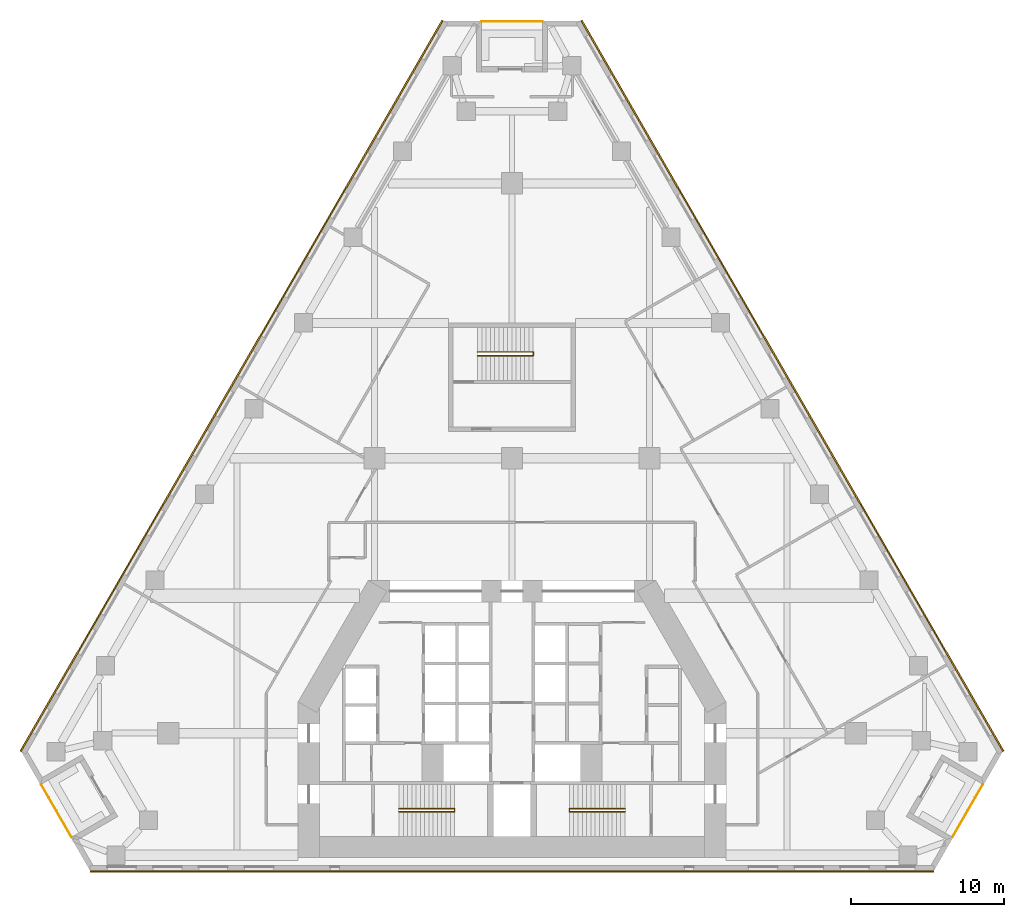
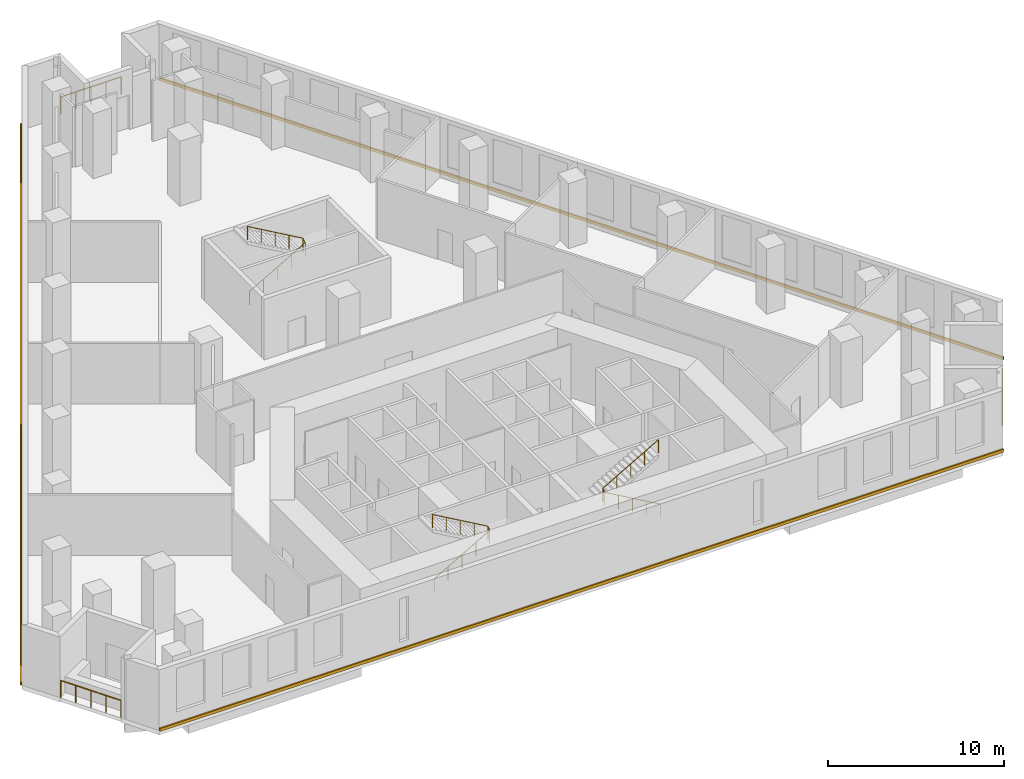
# One storey, part 10 of 10: 6 railings, 3 coverings.
"""IFC4 building model written with IfcOpenShell, lengths in metres."""

from ifc_helpers import new_model, si_unit, direction, frame, origin, origin_2d, place, context, subcontext, project, spatial, polyline, circle, outline, extrude, material, type_object, element, save


model = new_model("IFC4")

# Units and contexts
model_context = context("Model", 3, precision=1e-05, world=origin(), true_north=direction((0.0, 1.0)))
body_context = subcontext(model_context, "Body", "Model", "MODEL_VIEW")
ifc_project = project(units=[si_unit("LENGTHUNIT", "METRE"), si_unit("AREAUNIT", "SQUARE_METRE"), si_unit("VOLUMEUNIT", "CUBIC_METRE"), si_unit("PLANEANGLEUNIT", "RADIAN"), si_unit("MASSUNIT", "GRAM", prefix="KILO")], contexts=[model_context])

# Site, building, storey
site_placement = place(None, origin())
site = spatial("IfcSite", under=ifc_project, at=site_placement, CompositionType="ELEMENT")
building_placement = place(site_placement, origin())
building = spatial("IfcBuilding", under=site, at=building_placement, Name="Fogline Exchange Tower", CompositionType="ELEMENT")
storey_placement = place(building_placement, frame((0.0, 0.0, 43.0)))
storey = spatial("IfcBuildingStorey", under=building, at=storey_placement, Name="L08", CompositionType="ELEMENT", Elevation=43.0)

# Railings
ifc_material_1 = material(Name="Stainless steel 304", Category="steel")
railing_type_1 = type_object("IfcRailingType", Name="G1", PredefinedType="GUARDRAIL", material=ifc_material_1)
railing_1_placement = place(storey_placement, frame((-30.82373046875, 5.635986328125, 0.0)))
element("IfcRailing", 1, at=railing_1_placement, inside=storey, type_object=railing_type_1, Name="Balcony guard L08 SW", PredefinedType="GUARDRAIL", context=body_context, shape_type="SweptSolid", body=[
    extrude(circle(Radius=0.02392578125, at=origin_2d()), frame((0.0, 0.0, 1.17578125), z_axis=(0.500000102728, -0.866025344474, 0.0), x_axis=(0.866025344474, 0.500000102728, 0.0)), (0.0, 0.0, 1.0), 3.9580078125),
    extrude(circle(Radius=0.02099609375, at=origin_2d()), origin(), (0.0, 0.0, 1.0), 1.15185546875),
    extrude(circle(Radius=0.02099609375, at=origin_2d()), frame((0.49462890625, -0.85693359375, 0.0)), (0.0, 0.0, 1.0), 1.15185546875),
    extrude(circle(Radius=0.02099609375, at=origin_2d()), frame((0.989501953125, -1.7138671875, 0.0)), (0.0, 0.0, 1.0), 1.15185546875),
    extrude(circle(Radius=0.02099609375, at=origin_2d()), frame((1.484375, -2.57080078125, 0.0)), (0.0, 0.0, 1.0), 1.15185546875),
    extrude(circle(Radius=0.02099609375, at=origin_2d()), frame((1.97900390625, -3.427734375, 0.0)), (0.0, 0.0, 1.0), 1.15185546875),
])
railing_2_placement = place(storey_placement, frame((28.8447265625, 2.208251953125, 0.0)))
element("IfcRailing", 2, at=railing_2_placement, inside=storey, type_object=railing_type_1, Name="Balcony guard L08 SE", PredefinedType="GUARDRAIL", context=body_context, shape_type="SweptSolid", body=[
    extrude(circle(Radius=0.02392578125, at=origin_2d()), frame((0.0, 0.0, 1.17578125), z_axis=(0.500000102728, 0.866025344474, 0.0), x_axis=(-0.866025344474, 0.500000102728, 0.0)), (0.0, 0.0, 1.0), 3.9580078125),
    extrude(circle(Radius=0.02099609375, at=origin_2d()), origin(), (0.0, 0.0, 1.0), 1.15185546875),
    extrude(circle(Radius=0.02099609375, at=origin_2d()), frame((0.49462890625, 0.85693359375, 0.0)), (0.0, 0.0, 1.0), 1.15185546875),
    extrude(circle(Radius=0.02099609375, at=origin_2d()), frame((0.989501953125, 1.7138671875, 0.0)), (0.0, 0.0, 1.0), 1.15185546875),
    extrude(circle(Radius=0.02099609375, at=origin_2d()), frame((1.484375, 2.57080078125, 0.0)), (0.0, 0.0, 1.0), 1.15185546875),
    extrude(circle(Radius=0.02099609375, at=origin_2d()), frame((1.97900390625, 3.427734375, 0.0)), (0.0, 0.0, 1.0), 1.15185546875),
])
railing_3_placement = place(storey_placement, frame((1.97900390625, 55.5966796875, 0.0)))
element("IfcRailing", 3, at=railing_3_placement, inside=storey, type_object=railing_type_1, Name="Balcony guard L08 N", PredefinedType="GUARDRAIL", context=body_context, shape_type="SweptSolid", body=[
    extrude(circle(Radius=0.02392578125, at=origin_2d()), frame((0.0, 0.0, 1.17578125), z_axis=(-1.0, 0.0, 0.0), x_axis=(0.0, -1.0, 0.0)), (0.0, 0.0, 1.0), 3.9580078125),
    extrude(circle(Radius=0.02099609375, at=origin_2d()), origin(), (0.0, 0.0, 1.0), 1.15185546875),
    extrude(circle(Radius=0.02099609375, at=origin_2d()), frame((-0.989501953125, 0.0, 0.0)), (0.0, 0.0, 1.0), 1.15185546875),
    extrude(circle(Radius=0.02099609375, at=origin_2d()), frame((-1.97900390625, 0.0, 0.0)), (0.0, 0.0, 1.0), 1.15185546875),
    extrude(circle(Radius=0.02099609375, at=origin_2d()), frame((-2.968505859375, 0.0, 0.0)), (0.0, 0.0, 1.0), 1.15185546875),
    extrude(circle(Radius=0.02099609375, at=origin_2d()), frame((-3.9580078125, 0.0, 0.0)), (0.0, 0.0, 1.0), 1.15185546875),
])
ifc_material_2 = material(Name="Steel Q235B", Category="steel")
railing_type_2 = type_object("IfcRailingType", Name="RL-HR", PredefinedType="HANDRAIL", material=ifc_material_2)
railing_4_placement = place(storey_placement, frame((-7.39990234375, 3.85009765625, 0.16064453125)))
element("IfcRailing", 4, at=railing_4_placement, inside=storey, type_object=railing_type_2, Name="Handrail ST1", PredefinedType="HANDRAIL", context=body_context, shape_type="SweptSolid", body=[
    extrude(circle(Radius=0.02392578125, at=origin_2d()), frame((0.0, 0.0, 0.92578125), z_axis=(0.8672749571, 0.0, 0.497829437445), x_axis=(0.0, 1.0, 0.0)), (0.0, 0.0, 1.0), 4.197021484375),
    extrude(circle(Radius=0.02392578125, at=origin_2d()), frame((3.639892578125, 0.0, 3.01513671875), z_axis=(0.0, 0.779567027444, 0.626318808374), x_axis=(-1.0, 0.0, 0.0)), (0.0, 0.0, 1.0), 0.256591796875),
    extrude(circle(Radius=0.02392578125, at=origin_2d()), frame((3.639892578125, 0.199951171875, 3.17578125), z_axis=(-0.8672749571, 0.0, 0.497829437445), x_axis=(0.0, -1.0, 0.0)), (0.0, 0.0, 1.0), 4.197021484375),
    extrude(circle(Radius=0.02099609375, at=origin_2d()), origin(), (0.0, 0.0, 1.0), 0.90185546875),
    extrude(circle(Radius=0.02099609375, at=origin_2d()), frame((0.909912109375, 0.0, 0.5224609375)), (0.0, 0.0, 1.0), 0.90185546875),
    extrude(circle(Radius=0.02099609375, at=origin_2d()), frame((1.81982421875, 0.0, 1.044677734375)), (0.0, 0.0, 1.0), 0.90185546875),
    extrude(circle(Radius=0.02099609375, at=origin_2d()), frame((2.72998046875, 0.0, 1.56689453125)), (0.0, 0.0, 1.0), 0.90185546875),
    extrude(circle(Radius=0.02099609375, at=origin_2d()), frame((3.639892578125, 0.0, 2.08935546875)), (0.0, 0.0, 1.0), 0.90185546875),
    extrude(circle(Radius=0.02099609375, at=origin_2d()), frame((3.639892578125, 0.199951171875, 2.25)), (0.0, 0.0, 1.0), 0.90185546875),
    extrude(circle(Radius=0.02099609375, at=origin_2d()), frame((2.72998046875, 0.199951171875, 2.7724609375)), (0.0, 0.0, 1.0), 0.90185546875),
    extrude(circle(Radius=0.02099609375, at=origin_2d()), frame((1.81982421875, 0.199951171875, 3.294677734375)), (0.0, 0.0, 1.0), 0.90185546875),
    extrude(circle(Radius=0.02099609375, at=origin_2d()), frame((0.909912109375, 0.199951171875, 3.81689453125)), (0.0, 0.0, 1.0), 0.90185546875),
    extrude(circle(Radius=0.02099609375, at=origin_2d()), frame((0.0, 0.199951171875, 4.33935546875)), (0.0, 0.0, 1.0), 0.90185546875),
])
railing_5_placement = place(storey_placement, frame((7.39990234375, 3.85009765625, 0.16064453125)))
element("IfcRailing", 5, at=railing_5_placement, inside=storey, type_object=railing_type_2, Name="Handrail ST2", PredefinedType="HANDRAIL", context=body_context, shape_type="SweptSolid", body=[
    extrude(circle(Radius=0.02392578125, at=origin_2d()), frame((0.0, 0.0, 0.92578125), z_axis=(-0.8672749571, 0.0, 0.497829437445), x_axis=(0.0, -1.0, 0.0)), (0.0, 0.0, 1.0), 4.197021484375),
    extrude(circle(Radius=0.02392578125, at=origin_2d()), frame((-3.639892578125, 0.0, 3.01513671875), z_axis=(0.0, 0.779567027444, 0.626318808374), x_axis=(-1.0, 0.0, 0.0)), (0.0, 0.0, 1.0), 0.256591796875),
    extrude(circle(Radius=0.02392578125, at=origin_2d()), frame((-3.639892578125, 0.199951171875, 3.17578125), z_axis=(0.8672749571, 0.0, 0.497829437445), x_axis=(0.0, 1.0, 0.0)), (0.0, 0.0, 1.0), 4.197021484375),
    extrude(circle(Radius=0.02099609375, at=origin_2d()), origin(), (0.0, 0.0, 1.0), 0.90185546875),
    extrude(circle(Radius=0.02099609375, at=origin_2d()), frame((-0.909912109375, 0.0, 0.5224609375)), (0.0, 0.0, 1.0), 0.90185546875),
    extrude(circle(Radius=0.02099609375, at=origin_2d()), frame((-1.81982421875, 0.0, 1.044677734375)), (0.0, 0.0, 1.0), 0.90185546875),
    extrude(circle(Radius=0.02099609375, at=origin_2d()), frame((-2.72998046875, 0.0, 1.56689453125)), (0.0, 0.0, 1.0), 0.90185546875),
    extrude(circle(Radius=0.02099609375, at=origin_2d()), frame((-3.639892578125, 0.0, 2.08935546875)), (0.0, 0.0, 1.0), 0.90185546875),
    extrude(circle(Radius=0.02099609375, at=origin_2d()), frame((-3.639892578125, 0.199951171875, 2.25)), (0.0, 0.0, 1.0), 0.90185546875),
    extrude(circle(Radius=0.02099609375, at=origin_2d()), frame((-2.72998046875, 0.199951171875, 2.7724609375)), (0.0, 0.0, 1.0), 0.90185546875),
    extrude(circle(Radius=0.02099609375, at=origin_2d()), frame((-1.81982421875, 0.199951171875, 3.294677734375)), (0.0, 0.0, 1.0), 0.90185546875),
    extrude(circle(Radius=0.02099609375, at=origin_2d()), frame((-0.909912109375, 0.199951171875, 3.81689453125)), (0.0, 0.0, 1.0), 0.90185546875),
    extrude(circle(Radius=0.02099609375, at=origin_2d()), frame((0.0, 0.199951171875, 4.33935546875)), (0.0, 0.0, 1.0), 0.90185546875),
])
railing_6_placement = place(storey_placement, frame((-2.25, 33.70703125, 0.16064453125)))
element("IfcRailing", 6, at=railing_6_placement, inside=storey, type_object=railing_type_2, Name="Handrail ST3", PredefinedType="HANDRAIL", context=body_context, shape_type="SweptSolid", body=[
    extrude(circle(Radius=0.02392578125, at=origin_2d()), frame((0.0, 0.0, 0.92578125), z_axis=(0.8672749571, 0.0, 0.497829437445), x_axis=(0.0, 1.0, 0.0)), (0.0, 0.0, 1.0), 4.197021484375),
    extrude(circle(Radius=0.02392578125, at=origin_2d()), frame((3.639892578125, 0.0, 3.01513671875), z_axis=(0.0, 0.841285233109, 0.540591487681), x_axis=(-1.0, 0.0, 0.0)), (0.0, 0.0, 1.0), 0.297119140625),
    extrude(circle(Radius=0.02392578125, at=origin_2d()), frame((3.639892578125, 0.25, 3.17578125), z_axis=(-0.8672749571, 0.0, 0.497829437445), x_axis=(0.0, -1.0, 0.0)), (0.0, 0.0, 1.0), 4.197021484375),
    extrude(circle(Radius=0.02099609375, at=origin_2d()), origin(), (0.0, 0.0, 1.0), 0.90185546875),
    extrude(circle(Radius=0.02099609375, at=origin_2d()), frame((0.909912109375, 0.0, 0.5224609375)), (0.0, 0.0, 1.0), 0.90185546875),
    extrude(circle(Radius=0.02099609375, at=origin_2d()), frame((1.81982421875, 0.0, 1.044677734375)), (0.0, 0.0, 1.0), 0.90185546875),
    extrude(circle(Radius=0.02099609375, at=origin_2d()), frame((2.72998046875, 0.0, 1.56689453125)), (0.0, 0.0, 1.0), 0.90185546875),
    extrude(circle(Radius=0.02099609375, at=origin_2d()), frame((3.639892578125, 0.0, 2.08935546875)), (0.0, 0.0, 1.0), 0.90185546875),
    extrude(circle(Radius=0.02099609375, at=origin_2d()), frame((3.639892578125, 0.25, 2.25)), (0.0, 0.0, 1.0), 0.90185546875),
    extrude(circle(Radius=0.02099609375, at=origin_2d()), frame((2.72998046875, 0.25, 2.7724609375)), (0.0, 0.0, 1.0), 0.90185546875),
    extrude(circle(Radius=0.02099609375, at=origin_2d()), frame((1.81982421875, 0.25, 3.294677734375)), (0.0, 0.0, 1.0), 0.90185546875),
    extrude(circle(Radius=0.02099609375, at=origin_2d()), frame((0.909912109375, 0.25, 3.81689453125)), (0.0, 0.0, 1.0), 0.90185546875),
    extrude(circle(Radius=0.02099609375, at=origin_2d()), frame((0.0, 0.25, 4.33935546875)), (0.0, 0.0, 1.0), 0.90185546875),
])

# Coverings
ifc_material_3 = material(Name="Brick masonry", Category="masonry")
covering_type = type_object("IfcCoveringType", Name="SB1", PredefinedType="CLADDING", material=ifc_material_3)
covering_1_placement = place(storey_placement, origin())
element("IfcCovering", 7, at=covering_1_placement, inside=storey, type_object=covering_type, Name="Stringcourse band L08 S", PredefinedType="CLADDING", context=body_context, shape_type="SweptSolid", body=[
    extrude(outline(polyline([(-27.627685546875, 0.0), (-27.627685546875, -0.10009765625), (27.627685546875, -0.10009765625), (27.627685546875, 0.0), (-27.627685546875, 0.0)])), origin(), (0.0, 0.0, 1.0), 0.199951171875),
])
covering_2_placement = place(storey_placement, origin())
element("IfcCovering", 8, at=covering_2_placement, inside=storey, type_object=covering_type, Name="Stringcourse band L08 E", PredefinedType="CLADDING", context=body_context, shape_type="SweptSolid", body=[
    extrude(outline(polyline([(32.127685546875, 7.794189453125), (32.214111328125, 7.84423828125), (4.586669921875, 55.69677734375), (4.5, 55.646728515625), (32.127685546875, 7.794189453125)])), origin(), (0.0, 0.0, 1.0), 0.199951171875),
])
covering_3_placement = place(storey_placement, origin())
element("IfcCovering", 9, at=covering_3_placement, inside=storey, type_object=covering_type, Name="Stringcourse band L08 W", PredefinedType="CLADDING", context=body_context, shape_type="SweptSolid", body=[
    extrude(outline(polyline([(-4.5, 55.646728515625), (-4.586669921875, 55.69677734375), (-32.214111328125, 7.84423828125), (-32.127685546875, 7.794189453125), (-4.5, 55.646728515625)])), origin(), (0.0, 0.0, 1.0), 0.199951171875),
])

save(model, "model.ifc")
